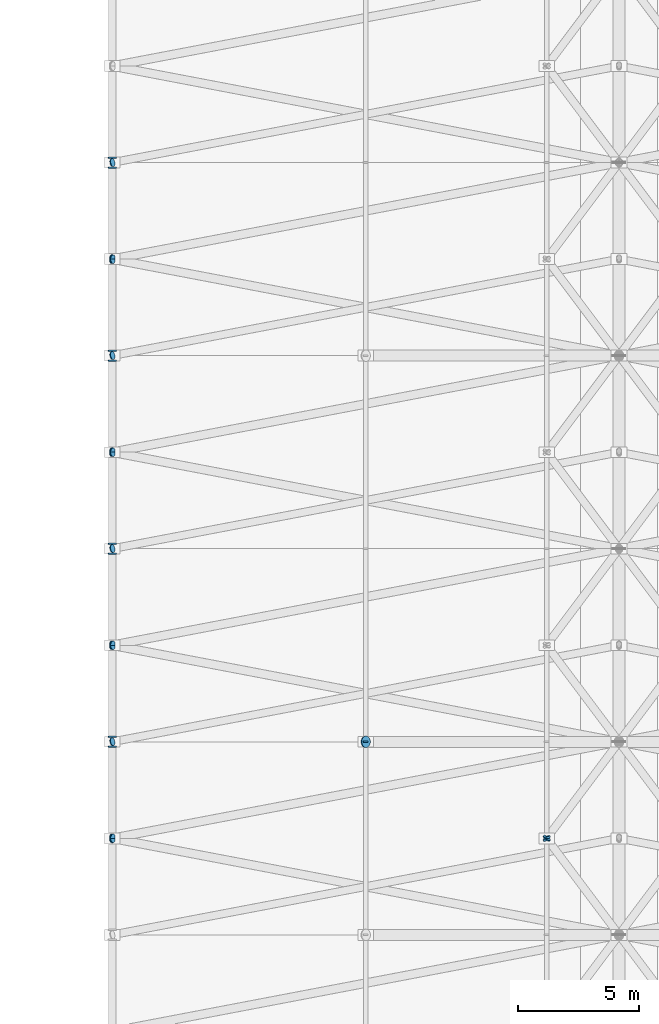
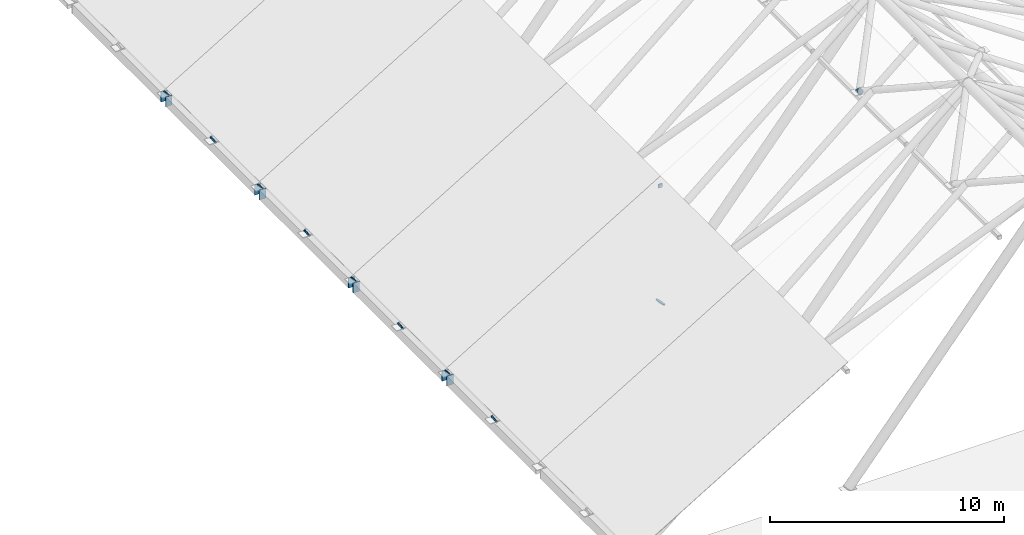
# One storey, part 24 of 44: 25 discrete accessories.
"""IFC4 building model written with IfcOpenShell, lengths in metres."""

from ifc_helpers import new_model, si_unit, direction, frame, origin, origin_2d, place, context, subcontext, project, spatial, rectangle, circle, extrude, material, element, save


model = new_model("IFC4")

# Units and contexts
model_context = context("Model", 3, precision=1e-05, world=origin(), true_north=direction((0.0, 1.0)))
body_context = subcontext(model_context, "Body", "Model", "MODEL_VIEW")
ifc_project = project(units=[si_unit("LENGTHUNIT", "METRE"), si_unit("AREAUNIT", "SQUARE_METRE"), si_unit("VOLUMEUNIT", "CUBIC_METRE"), si_unit("PLANEANGLEUNIT", "RADIAN"), si_unit("MASSUNIT", "GRAM", prefix="KILO")], contexts=[model_context])

# Site, building, storey
site_placement = place(None, origin())
site = spatial("IfcSite", under=ifc_project, at=site_placement, CompositionType="ELEMENT")
building_placement = place(site_placement, origin())
building = spatial("IfcBuilding", under=site, at=building_placement, Name="Marlcrest Central Station", CompositionType="ELEMENT")
storey_placement = place(building_placement, frame((0.0, 0.0, 19.5)))
storey = spatial("IfcBuildingStorey", under=building, at=storey_placement, Name="L04", CompositionType="ELEMENT", Elevation=19.5)

# Discrete accessories
ifc_material = material(Name="Steel S355", Category="steel")
discrete_accessory_1_placement = place(storey_placement, frame((97.490478515625, 38.5, -0.011474609375), z_axis=(0.640181471429, 0.0, 0.768223719784), x_axis=(0.0, 1.0, 0.0)))
element("IfcDiscreteAccessory", 1, at=discrete_accessory_1_placement, inside=storey, material=ifc_material, Name="endcap-mem-ST-01-L04-02368-s", ObjectType="END_CAP_PLATE", PredefinedType="BRACKET", context=body_context, shape_type="SweptSolid", body=[
    extrude(circle(Radius=0.236572265625, at=origin_2d()), origin(), (0.0, 0.0, 1.0), 0.0400390625),
])
for number, where, z_axis, x_axis, name in (
    (2, (87.0, 38.275146484375, -0.25), (0.0, 1.0, 0.0), (-1.0, 0.0, 0.0), "endcap-bm-SP-03-L04-01247-e"),
    (3, (87.0, 38.68505859375, -0.25), (0.0, 1.0, 0.0), (-1.0, 0.0, 0.0), "endcap-bm-SP-03-L04-01256-s"),
    (4, (87.0, 46.275146484375, -0.25), (0.0, 1.0, 0.0), (-1.0, 0.0, 0.0), "endcap-bm-SP-03-L04-01256-e"),
    (5, (87.0, 46.68505859375, -0.25), (0.0, 1.0, 0.0), (-1.0, 0.0, 0.0), "endcap-bm-SP-03-L04-01261-s"),
    (6, (87.0, 54.275146484375, -0.25), (0.0, 1.0, 0.0), (-1.0, 0.0, 0.0), "endcap-bm-SP-03-L04-01261-e"),
    (7, (87.0, 54.68505859375, -0.25), (0.0, 1.0, 0.0), (-1.0, 0.0, 0.0), "endcap-bm-SP-03-L04-01265-s"),
    (8, (87.0, 62.275146484375, -0.25), (0.0, 1.0, 0.0), (-1.0, 0.0, 0.0), "endcap-bm-SP-03-L04-01265-e"),
    (9, (87.0, 62.68505859375, -0.25), (0.0, 1.0, 0.0), (-1.0, 0.0, 0.0), "endcap-bm-SP-03-L04-01275-s"),
):
    element("IfcDiscreteAccessory", number, at=place(storey_placement, frame(where, z_axis=z_axis, x_axis=x_axis)), inside=storey, material=ifc_material, Name=name, ObjectType="END_CAP_PLATE", PredefinedType="BRACKET", context=body_context, shape_type="SweptSolid", body=[
        extrude(rectangle(XDim=0.31591796875, YDim=0.51611328125, at=origin_2d()), origin(), (0.0, 0.0, 1.0), 0.0400390625),
    ])
for number, where, z_axis, x_axis, name in (
    (10, (105.01416015625, 34.481201171875, 10.80859375), (-0.564530690126, 0.752707586834, -0.338727602401), (-0.8, -0.6, 0.0), "endcap-mem-FB-02-L04-02397-e"),
    (11, (105.01416015625, 34.518798828125, 10.80859375), (-0.564530690126, -0.752707586834, -0.338727602401), (0.8, -0.6, 0.0), "endcap-mem-FB-02-L04-02398-e"),
):
    element("IfcDiscreteAccessory", number, at=place(storey_placement, frame(where, z_axis=z_axis, x_axis=x_axis)), inside=storey, material=ifc_material, Name=name, ObjectType="END_CAP_PLATE", PredefinedType="BRACKET", context=body_context, shape_type="SweptSolid", body=[
        extrude(circle(Radius=0.169921875, at=origin_2d()), origin(), (0.0, 0.0, 1.0), 0.0400390625),
    ])
for number, where, z_axis, x_axis, name in (
    (12, (87.021240234375, 34.495849609375, 0.0126953125), (-0.846277296716, 0.161195675565, -0.507770313471), (-0.18711210789, -0.982338566422, 0.0), "endcap-mem-FB-01-L04-02402-e"),
    (13, (87.021240234375, 34.504150390625, 0.0126953125), (-0.846277296716, -0.161195675565, -0.507770313471), (0.18711210789, -0.982338566422, 0.0), "endcap-mem-FB-01-L04-02403-e"),
):
    element("IfcDiscreteAccessory", number, at=place(storey_placement, frame(where, z_axis=z_axis, x_axis=x_axis)), inside=storey, material=ifc_material, Name=name, ObjectType="END_CAP_PLATE", PredefinedType="BRACKET", context=body_context, shape_type="SweptSolid", body=[
        extrude(circle(Radius=0.185791015625, at=origin_2d()), origin(), (0.0, 0.0, 1.0), 0.0400390625),
    ])
discrete_accessory_2_placement = place(storey_placement, frame((97.5, 38.47509765625, 6.080078125), z_axis=(0.0, 1.0, 0.0), x_axis=(-1.0, 0.0, 0.0)))
element("IfcDiscreteAccessory", 14, at=discrete_accessory_2_placement, inside=storey, material=ifc_material, Name="endcap-mem-PR-03-L04-02405-e", ObjectType="END_CAP_PLATE", PredefinedType="BRACKET", context=body_context, shape_type="SweptSolid", body=[
    extrude(rectangle(XDim=0.196044921875, YDim=0.196044921875, at=origin_2d()), origin(), (0.0, 0.0, 1.0), 0.0400390625),
])
for number, where, z_axis, x_axis, name in (
    (15, (87.021240234375, 42.495849609375, 0.0126953125), (-0.846277296716, 0.161195675565, -0.507770313471), (-0.18711210789, -0.982338566422, 0.0), "endcap-mem-FB-01-L04-02417-e"),
    (16, (87.021240234375, 42.504150390625, 0.0126953125), (-0.846277296716, -0.161195675565, -0.507770313471), (0.18711210789, -0.982338566422, 0.0), "endcap-mem-FB-01-L04-02418-e"),
):
    element("IfcDiscreteAccessory", number, at=place(storey_placement, frame(where, z_axis=z_axis, x_axis=x_axis)), inside=storey, material=ifc_material, Name=name, ObjectType="END_CAP_PLATE", PredefinedType="BRACKET", context=body_context, shape_type="SweptSolid", body=[
        extrude(circle(Radius=0.185791015625, at=origin_2d()), origin(), (0.0, 0.0, 1.0), 0.0400390625),
    ])
discrete_accessory_3_placement = place(storey_placement, frame((87.021240234375, 38.504150390625, 0.0126953125), z_axis=(-0.846277296716, -0.161195675565, -0.507770313471), x_axis=(0.18711210789, -0.982338566422, 0.0)))
element("IfcDiscreteAccessory", 17, at=discrete_accessory_3_placement, inside=storey, material=ifc_material, Name="endcap-mem-FB-02-L04-02419-e", ObjectType="END_CAP_PLATE", PredefinedType="BRACKET", context=body_context, shape_type="SweptSolid", body=[
    extrude(circle(Radius=0.169921875, at=origin_2d()), origin(), (0.0, 0.0, 1.0), 0.0400390625),
])
discrete_accessory_4_placement = place(storey_placement, frame((97.5, 38.485107421875, 6.080078125), z_axis=(0.0, 1.0, 0.0), x_axis=(-1.0, 0.0, 0.0)))
element("IfcDiscreteAccessory", 18, at=discrete_accessory_4_placement, inside=storey, material=ifc_material, Name="endcap-mem-PR-03-L04-02420-s", ObjectType="END_CAP_PLATE", PredefinedType="BRACKET", context=body_context, shape_type="SweptSolid", body=[
    extrude(rectangle(XDim=0.196044921875, YDim=0.196044921875, at=origin_2d()), origin(), (0.0, 0.0, 1.0), 0.0400390625),
])
for number, where, z_axis, x_axis, name in (
    (19, (87.021240234375, 50.495849609375, 0.0126953125), (-0.846277296716, 0.161195675565, -0.507770313471), (-0.18711210789, -0.982338566422, 0.0), "endcap-mem-FB-01-L04-02432-e"),
    (20, (87.021240234375, 50.504150390625, 0.0126953125), (-0.846277296716, -0.161195675565, -0.507770313471), (0.18711210789, -0.982338566422, 0.0), "endcap-mem-FB-01-L04-02433-e"),
):
    element("IfcDiscreteAccessory", number, at=place(storey_placement, frame(where, z_axis=z_axis, x_axis=x_axis)), inside=storey, material=ifc_material, Name=name, ObjectType="END_CAP_PLATE", PredefinedType="BRACKET", context=body_context, shape_type="SweptSolid", body=[
        extrude(circle(Radius=0.185791015625, at=origin_2d()), origin(), (0.0, 0.0, 1.0), 0.0400390625),
    ])
discrete_accessory_5_placement = place(storey_placement, frame((87.021240234375, 46.504150390625, 0.0126953125), z_axis=(-0.846277296716, -0.161195675565, -0.507770313471), x_axis=(0.18711210789, -0.982338566422, 0.0)))
element("IfcDiscreteAccessory", 21, at=discrete_accessory_5_placement, inside=storey, material=ifc_material, Name="endcap-mem-FB-02-L04-02434-e", ObjectType="END_CAP_PLATE", PredefinedType="BRACKET", context=body_context, shape_type="SweptSolid", body=[
    extrude(circle(Radius=0.169921875, at=origin_2d()), origin(), (0.0, 0.0, 1.0), 0.0400390625),
])
for number, where, z_axis, x_axis, name in (
    (22, (87.021240234375, 58.495849609375, 0.0126953125), (-0.846277296716, 0.161195675565, -0.507770313471), (-0.18711210789, -0.982338566422, 0.0), "endcap-mem-FB-01-L04-02447-e"),
    (23, (87.021240234375, 58.504150390625, 0.0126953125), (-0.846277296716, -0.161195675565, -0.507770313471), (0.18711210789, -0.982338566422, 0.0), "endcap-mem-FB-01-L04-02448-e"),
):
    element("IfcDiscreteAccessory", number, at=place(storey_placement, frame(where, z_axis=z_axis, x_axis=x_axis)), inside=storey, material=ifc_material, Name=name, ObjectType="END_CAP_PLATE", PredefinedType="BRACKET", context=body_context, shape_type="SweptSolid", body=[
        extrude(circle(Radius=0.185791015625, at=origin_2d()), origin(), (0.0, 0.0, 1.0), 0.0400390625),
    ])
for number, where, z_axis, x_axis, name in (
    (24, (87.021240234375, 54.504150390625, 0.0126953125), (-0.846277296716, -0.161195675565, -0.507770313471), (0.18711210789, -0.982338566422, 0.0), "endcap-mem-FB-02-L04-02449-e"),
    (25, (87.021240234375, 62.504150390625, 0.0126953125), (-0.846277296716, -0.161195675565, -0.507770313471), (0.18711210789, -0.982338566422, 0.0), "endcap-mem-FB-02-L04-02464-e"),
):
    element("IfcDiscreteAccessory", number, at=place(storey_placement, frame(where, z_axis=z_axis, x_axis=x_axis)), inside=storey, material=ifc_material, Name=name, ObjectType="END_CAP_PLATE", PredefinedType="BRACKET", context=body_context, shape_type="SweptSolid", body=[
        extrude(circle(Radius=0.169921875, at=origin_2d()), origin(), (0.0, 0.0, 1.0), 0.0400390625),
    ])

save(model, "model.ifc")
